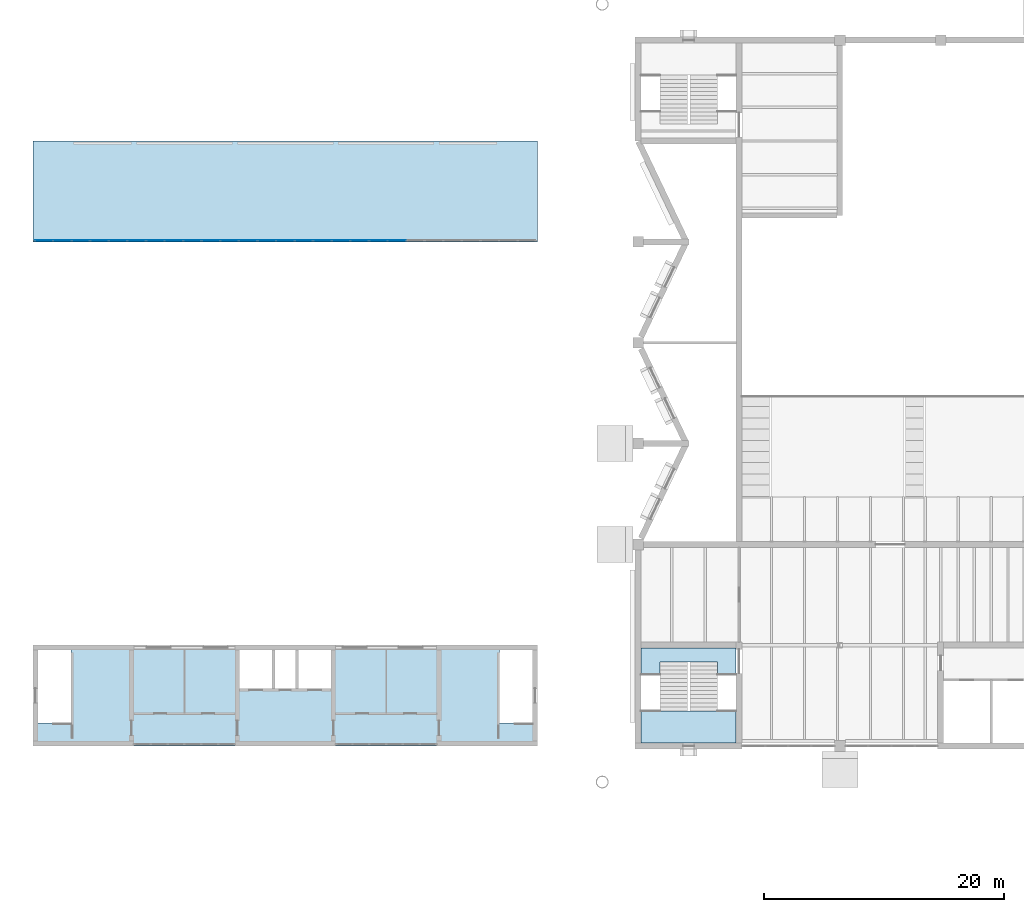
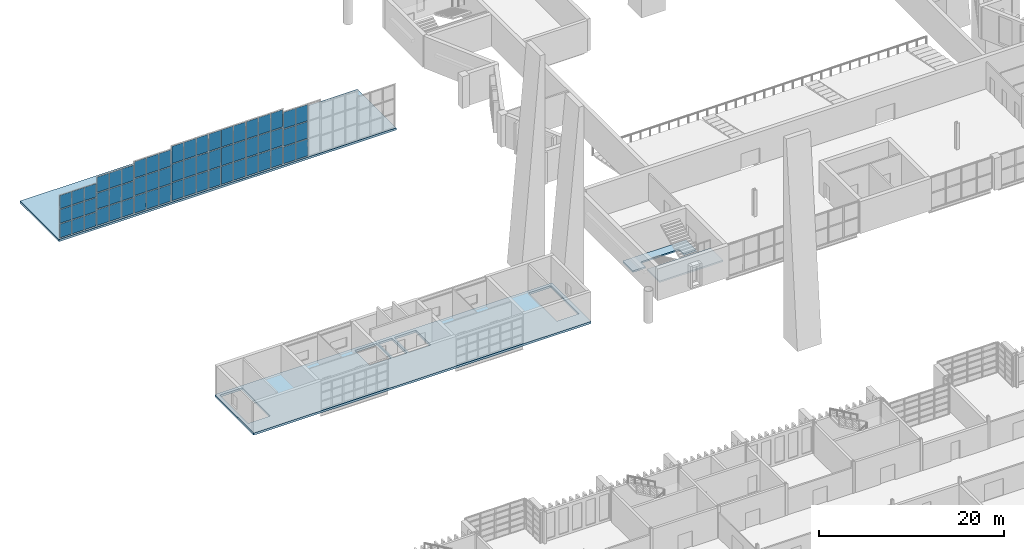
# One storey, part 53 of 100: 60 plates, 4 slabs, 8 elements without a shape of their own.
"""IFC4 building model written with IfcOpenShell, lengths in metres."""

from ifc_helpers import new_model, si_unit, direction, frame, origin, origin_2d, place, context, subcontext, project, spatial, polyline, rectangle, outline, extrude, material, layer, layer_set, type_object, element, aggregate, save


model = new_model("IFC4")

# Units and contexts
model_context = context("Model", 3, precision=1e-05, world=origin(), true_north=direction((0.0, 1.0)))
body_context = subcontext(model_context, "Body", "Model", "MODEL_VIEW")
ifc_project = project(units=[si_unit("LENGTHUNIT", "METRE"), si_unit("AREAUNIT", "SQUARE_METRE"), si_unit("VOLUMEUNIT", "CUBIC_METRE"), si_unit("PLANEANGLEUNIT", "RADIAN"), si_unit("MASSUNIT", "GRAM", prefix="KILO")], contexts=[model_context])

# Site, building, storey
site_placement = place(None, origin())
site = spatial("IfcSite", under=ifc_project, at=site_placement, CompositionType="ELEMENT")
building_placement = place(site_placement, origin())
building = spatial("IfcBuilding", under=site, at=building_placement, Name="Cresset Court Congress Hotel", CompositionType="ELEMENT")
storey_placement = place(building_placement, frame((0.0, 0.0, 10.199951171875)))
storey = spatial("IfcBuildingStorey", under=building, at=storey_placement, Name="L02", CompositionType="ELEMENT", Elevation=10.199951171875)

# Slab
ifc_material_1 = material(Name="Concrete C35", Category="concrete")
ifc_layer_1 = layer(ifc_material_1, 0.199951171875)
ifc_layer_set_1 = layer_set([ifc_layer_1], Name="Core stair floor slab 200")
slab_type_1 = type_object("IfcSlabType", Name="Core stair floor slab 200", PredefinedType="FLOOR", material=ifc_layer_set_1)
slab_1_placement = place(storey_placement, frame((0.0, 0.0, -0.199951171875)))
element("IfcSlab", 1, at=slab_1_placement, inside=storey, type_object=slab_type_1, Name="Stair landing slab CC-C1L02", PredefinedType="FLOOR", context=body_context, shape_type="SweptSolid", body=[
    extrude(outline(polyline([(60.60009765625, 64.75), (59.050048828125, 64.75), (59.050048828125, 65.79931640625), (59.050048828125, 66.949951171875), (60.60009765625, 66.949951171875), (65.39990234375, 66.949951171875), (66.949951171875, 66.949951171875), (66.949951171875, 65.79931640625), (66.949951171875, 64.75), (65.39990234375, 64.75), (65.39990234375, 65.79931640625), (60.60009765625, 65.79931640625), (60.60009765625, 64.75)])), origin(), (0.0, 0.0, 1.0), 0.199951171875),
])

# Stair, slab
ifc_material_2 = material(Name="Concrete C40", Category="concrete")
stair_type = type_object("IfcStairType", Name="Core stair", PredefinedType="STRAIGHT_RUN_STAIR", material=ifc_material_2)
stair_placement = place(storey_placement, origin())
stair = element("IfcStair", 2, at=stair_placement, inside=storey, type_object=stair_type, Name="Stair ST-C1 L02", PredefinedType="STRAIGHT_RUN_STAIR")
ifc_material_3 = material(Name="Concrete C40", Category="concrete")
ifc_layer_2 = layer(ifc_material_3, 0.199951171875)
ifc_layer_set_2 = layer_set([ifc_layer_2], Name="Core stair landing")
slab_type_2 = type_object("IfcSlabType", Name="Core stair landing", PredefinedType="LANDING", material=ifc_layer_set_2)
slab_2_placement = place(storey_placement, frame((0.0, 0.0, 1.900146484375)))
slab_2 = element("IfcSlab", 3, at=slab_2_placement, type_object=slab_type_2, Name="C-ST landing 1", PredefinedType="LANDING", context=body_context, shape_type="SweptSolid", body=[
    extrude(outline(polyline([(66.949951171875, 59.050048828125), (66.949951171875, 61.719970703125), (59.050048828125, 61.719970703125), (59.050048828125, 59.050048828125), (66.949951171875, 59.050048828125)])), origin(), (0.0, 0.0, 1.0), 0.199951171875),
])
aggregate(stair, [slab_2])

# Curtain wall, plates
ifc_material_4 = material(Name="Aluminium frame with insulated glass", Category="aluminium")
curtain_wall_type = type_object("IfcCurtainWallType", Name="Curtain wall module 1500", PredefinedType="NOTDEFINED", material=ifc_material_4)
curtain_wall_1_placement = place(storey_placement, origin())
curtain_wall_1 = element("IfcCurtainWall", 4, at=curtain_wall_1_placement, inside=storey, type_object=curtain_wall_type, Name="Curtain wall G1", PredefinedType="NOTDEFINED")
ifc_material_5 = material(Name="Laminated glass", Category="glass")
ifc_layer_3 = layer(ifc_material_5, 0.028076171875)
ifc_layer_set_3 = layer_set([ifc_layer_3], Name="Curtain wall glass panel 28")
plate_type = type_object("IfcPlateType", Name="Curtain wall glass panel 28", PredefinedType="CURTAIN_PANEL", material=ifc_layer_set_3)
plate_1_placement = place(storey_placement, frame((9.2890625, 100.89990234375, 0.1201171875), z_axis=(0.0, 0.0, 1.0), x_axis=(1.0, 0.0, 0.0)))
plate_1 = element("IfcPlate", 5, at=plate_1_placement, type_object=plate_type, Name="D-X4 panel 1.1", PredefinedType="CURTAIN_PANEL", context=body_context, shape_type="SweptSolid", body=[
    extrude(rectangle(XDim=1.458251953125, YDim=0.028076171875, at=origin_2d()), origin(), (0.0, 0.0, 1.0), 1.7919921875),
])
plate_2_placement = place(storey_placement, frame((9.2890625, 100.89990234375, 2.031982421875), z_axis=(0.0, 0.0, 1.0), x_axis=(1.0, 0.0, 0.0)))
plate_2 = element("IfcPlate", 6, at=plate_2_placement, type_object=plate_type, Name="D-X4 panel 1.2", PredefinedType="CURTAIN_PANEL", context=body_context, shape_type="SweptSolid", body=[
    extrude(rectangle(XDim=1.458251953125, YDim=0.028076171875, at=origin_2d()), origin(), (0.0, 0.0, 1.0), 1.7939453125),
])
plate_3_placement = place(storey_placement, frame((9.2890625, 100.89990234375, 3.946044921875), z_axis=(0.0, 0.0, 1.0), x_axis=(1.0, 0.0, 0.0)))
plate_3 = element("IfcPlate", 7, at=plate_3_placement, type_object=plate_type, Name="D-X4 panel 1.3", PredefinedType="CURTAIN_PANEL", context=body_context, shape_type="SweptSolid", body=[
    extrude(rectangle(XDim=1.458251953125, YDim=0.028076171875, at=origin_2d()), origin(), (0.0, 0.0, 1.0), 1.73388671875),
])
plate_4_placement = place(storey_placement, frame((10.822265625, 100.89990234375, 0.1201171875), z_axis=(0.0, 0.0, 1.0), x_axis=(1.0, 0.0, 0.0)))
plate_4 = element("IfcPlate", 8, at=plate_4_placement, type_object=plate_type, Name="D-X4 panel 2.1", PredefinedType="CURTAIN_PANEL", context=body_context, shape_type="SweptSolid", body=[
    extrude(rectangle(XDim=1.488037109375, YDim=0.028076171875, at=origin_2d()), origin(), (0.0, 0.0, 1.0), 1.7919921875),
])
plate_5_placement = place(storey_placement, frame((10.822265625, 100.89990234375, 2.031982421875), z_axis=(0.0, 0.0, 1.0), x_axis=(1.0, 0.0, 0.0)))
plate_5 = element("IfcPlate", 9, at=plate_5_placement, type_object=plate_type, Name="D-X4 panel 2.2", PredefinedType="CURTAIN_PANEL", context=body_context, shape_type="SweptSolid", body=[
    extrude(rectangle(XDim=1.488037109375, YDim=0.028076171875, at=origin_2d()), origin(), (0.0, 0.0, 1.0), 1.7939453125),
])
plate_6_placement = place(storey_placement, frame((10.822265625, 100.89990234375, 3.946044921875), z_axis=(0.0, 0.0, 1.0), x_axis=(1.0, 0.0, 0.0)))
plate_6 = element("IfcPlate", 10, at=plate_6_placement, type_object=plate_type, Name="D-X4 panel 2.3", PredefinedType="CURTAIN_PANEL", context=body_context, shape_type="SweptSolid", body=[
    extrude(rectangle(XDim=1.488037109375, YDim=0.028076171875, at=origin_2d()), origin(), (0.0, 0.0, 1.0), 1.73388671875),
])
plate_7_placement = place(storey_placement, frame((12.355224609375, 100.89990234375, 0.1201171875), z_axis=(0.0, 0.0, 1.0), x_axis=(1.0, 0.0, 0.0)))
plate_7 = element("IfcPlate", 11, at=plate_7_placement, type_object=plate_type, Name="D-X4 panel 3.1", PredefinedType="CURTAIN_PANEL", context=body_context, shape_type="SweptSolid", body=[
    extrude(rectangle(XDim=1.458251953125, YDim=0.028076171875, at=origin_2d()), origin(), (0.0, 0.0, 1.0), 1.7919921875),
])
plate_8_placement = place(storey_placement, frame((12.355224609375, 100.89990234375, 2.031982421875), z_axis=(0.0, 0.0, 1.0), x_axis=(1.0, 0.0, 0.0)))
plate_8 = element("IfcPlate", 12, at=plate_8_placement, type_object=plate_type, Name="D-X4 panel 3.2", PredefinedType="CURTAIN_PANEL", context=body_context, shape_type="SweptSolid", body=[
    extrude(rectangle(XDim=1.458251953125, YDim=0.028076171875, at=origin_2d()), origin(), (0.0, 0.0, 1.0), 1.7939453125),
])
plate_9_placement = place(storey_placement, frame((12.355224609375, 100.89990234375, 3.946044921875), z_axis=(0.0, 0.0, 1.0), x_axis=(1.0, 0.0, 0.0)))
plate_9 = element("IfcPlate", 13, at=plate_9_placement, type_object=plate_type, Name="D-X4 panel 3.3", PredefinedType="CURTAIN_PANEL", context=body_context, shape_type="SweptSolid", body=[
    extrude(rectangle(XDim=1.458251953125, YDim=0.028076171875, at=origin_2d()), origin(), (0.0, 0.0, 1.0), 1.73388671875),
])
aggregate(curtain_wall_1, [plate_1, plate_2, plate_3, plate_4, plate_5, plate_6, plate_7, plate_8, plate_9])

curtain_wall_2_placement = place(storey_placement, origin())
curtain_wall_2 = element("IfcCurtainWall", 14, at=curtain_wall_2_placement, inside=storey, type_object=curtain_wall_type, Name="Curtain wall G2", PredefinedType="NOTDEFINED")
plate_10_placement = place(storey_placement, frame((13.93359375, 100.89990234375, 0.1201171875), z_axis=(0.0, 0.0, 1.0), x_axis=(1.0, 0.0, 0.0)))
plate_10 = element("IfcPlate", 15, at=plate_10_placement, type_object=plate_type, Name="D-X4 panel 1.1", PredefinedType="CURTAIN_PANEL", context=body_context, shape_type="SweptSolid", body=[
    extrude(rectangle(XDim=1.458251953125, YDim=0.028076171875, at=origin_2d()), origin(), (0.0, 0.0, 1.0), 2.06396484375),
])
plate_11_placement = place(storey_placement, frame((13.93359375, 100.89990234375, 2.303955078125), z_axis=(0.0, 0.0, 1.0), x_axis=(1.0, 0.0, 0.0)))
plate_11 = element("IfcPlate", 16, at=plate_11_placement, type_object=plate_type, Name="D-X4 panel 1.2", PredefinedType="CURTAIN_PANEL", context=body_context, shape_type="SweptSolid", body=[
    extrude(rectangle(XDim=1.458251953125, YDim=0.028076171875, at=origin_2d()), origin(), (0.0, 0.0, 1.0), 2.05810546875),
])
plate_12_placement = place(storey_placement, frame((13.93359375, 100.89990234375, 4.48193359375), z_axis=(0.0, 0.0, 1.0), x_axis=(1.0, 0.0, 0.0)))
plate_12 = element("IfcPlate", 17, at=plate_12_placement, type_object=plate_type, Name="D-X4 panel 1.3", PredefinedType="CURTAIN_PANEL", context=body_context, shape_type="SweptSolid", body=[
    extrude(rectangle(XDim=1.458251953125, YDim=0.028076171875, at=origin_2d()), origin(), (0.0, 0.0, 1.0), 1.998046875),
])
plate_13_placement = place(storey_placement, frame((15.466552734375, 100.89990234375, 0.1201171875), z_axis=(0.0, 0.0, 1.0), x_axis=(1.0, 0.0, 0.0)))
plate_13 = element("IfcPlate", 18, at=plate_13_placement, type_object=plate_type, Name="D-X4 panel 2.1", PredefinedType="CURTAIN_PANEL", context=body_context, shape_type="SweptSolid", body=[
    extrude(rectangle(XDim=1.48828125, YDim=0.028076171875, at=origin_2d()), origin(), (0.0, 0.0, 1.0), 2.06396484375),
])
plate_14_placement = place(storey_placement, frame((15.466552734375, 100.89990234375, 2.303955078125), z_axis=(0.0, 0.0, 1.0), x_axis=(1.0, 0.0, 0.0)))
plate_14 = element("IfcPlate", 19, at=plate_14_placement, type_object=plate_type, Name="D-X4 panel 2.2", PredefinedType="CURTAIN_PANEL", context=body_context, shape_type="SweptSolid", body=[
    extrude(rectangle(XDim=1.48828125, YDim=0.028076171875, at=origin_2d()), origin(), (0.0, 0.0, 1.0), 2.05810546875),
])
plate_15_placement = place(storey_placement, frame((15.466552734375, 100.89990234375, 4.48193359375), z_axis=(0.0, 0.0, 1.0), x_axis=(1.0, 0.0, 0.0)))
plate_15 = element("IfcPlate", 20, at=plate_15_placement, type_object=plate_type, Name="D-X4 panel 2.3", PredefinedType="CURTAIN_PANEL", context=body_context, shape_type="SweptSolid", body=[
    extrude(rectangle(XDim=1.48828125, YDim=0.028076171875, at=origin_2d()), origin(), (0.0, 0.0, 1.0), 1.998046875),
])
plate_16_placement = place(storey_placement, frame((16.999755859375, 100.89990234375, 0.1201171875), z_axis=(0.0, 0.0, 1.0), x_axis=(1.0, 0.0, 0.0)))
plate_16 = element("IfcPlate", 21, at=plate_16_placement, type_object=plate_type, Name="D-X4 panel 3.1", PredefinedType="CURTAIN_PANEL", context=body_context, shape_type="SweptSolid", body=[
    extrude(rectangle(XDim=1.458251953125, YDim=0.028076171875, at=origin_2d()), origin(), (0.0, 0.0, 1.0), 2.06396484375),
])
plate_17_placement = place(storey_placement, frame((16.999755859375, 100.89990234375, 2.303955078125), z_axis=(0.0, 0.0, 1.0), x_axis=(1.0, 0.0, 0.0)))
plate_17 = element("IfcPlate", 22, at=plate_17_placement, type_object=plate_type, Name="D-X4 panel 3.2", PredefinedType="CURTAIN_PANEL", context=body_context, shape_type="SweptSolid", body=[
    extrude(rectangle(XDim=1.458251953125, YDim=0.028076171875, at=origin_2d()), origin(), (0.0, 0.0, 1.0), 2.05810546875),
])
plate_18_placement = place(storey_placement, frame((16.999755859375, 100.89990234375, 4.48193359375), z_axis=(0.0, 0.0, 1.0), x_axis=(1.0, 0.0, 0.0)))
plate_18 = element("IfcPlate", 23, at=plate_18_placement, type_object=plate_type, Name="D-X4 panel 3.3", PredefinedType="CURTAIN_PANEL", context=body_context, shape_type="SweptSolid", body=[
    extrude(rectangle(XDim=1.458251953125, YDim=0.028076171875, at=origin_2d()), origin(), (0.0, 0.0, 1.0), 1.998046875),
])
aggregate(curtain_wall_2, [plate_10, plate_11, plate_12, plate_13, plate_14, plate_15, plate_16, plate_17, plate_18])

curtain_wall_3_placement = place(storey_placement, origin())
curtain_wall_3 = element("IfcCurtainWall", 24, at=curtain_wall_3_placement, inside=storey, type_object=curtain_wall_type, Name="Curtain wall G3", PredefinedType="NOTDEFINED")
plate_19_placement = place(storey_placement, frame((18.577880859375, 100.89990234375, 0.1201171875), z_axis=(0.0, 0.0, 1.0), x_axis=(1.0, 0.0, 0.0)))
plate_19 = element("IfcPlate", 25, at=plate_19_placement, type_object=plate_type, Name="D-X4 panel 1.1", PredefinedType="CURTAIN_PANEL", context=body_context, shape_type="SweptSolid", body=[
    extrude(rectangle(XDim=1.458251953125, YDim=0.028076171875, at=origin_2d()), origin(), (0.0, 0.0, 1.0), 2.199951171875),
])
plate_20_placement = place(storey_placement, frame((18.577880859375, 100.89990234375, 2.440185546875), z_axis=(0.0, 0.0, 1.0), x_axis=(1.0, 0.0, 0.0)))
plate_20 = element("IfcPlate", 26, at=plate_20_placement, type_object=plate_type, Name="D-X4 panel 1.2", PredefinedType="CURTAIN_PANEL", context=body_context, shape_type="SweptSolid", body=[
    extrude(rectangle(XDim=1.458251953125, YDim=0.028076171875, at=origin_2d()), origin(), (0.0, 0.0, 1.0), 2.18994140625),
])
plate_21_placement = place(storey_placement, frame((18.577880859375, 100.89990234375, 4.75), z_axis=(0.0, 0.0, 1.0), x_axis=(1.0, 0.0, 0.0)))
plate_21 = element("IfcPlate", 27, at=plate_21_placement, type_object=plate_type, Name="D-X4 panel 1.3", PredefinedType="CURTAIN_PANEL", context=body_context, shape_type="SweptSolid", body=[
    extrude(rectangle(XDim=1.458251953125, YDim=0.028076171875, at=origin_2d()), origin(), (0.0, 0.0, 1.0), 2.1298828125),
])
plate_22_placement = place(storey_placement, frame((20.111083984375, 100.89990234375, 0.1201171875), z_axis=(0.0, 0.0, 1.0), x_axis=(1.0, 0.0, 0.0)))
plate_22 = element("IfcPlate", 28, at=plate_22_placement, type_object=plate_type, Name="D-X4 panel 2.1", PredefinedType="CURTAIN_PANEL", context=body_context, shape_type="SweptSolid", body=[
    extrude(rectangle(XDim=1.488037109375, YDim=0.028076171875, at=origin_2d()), origin(), (0.0, 0.0, 1.0), 2.199951171875),
])
plate_23_placement = place(storey_placement, frame((20.111083984375, 100.89990234375, 2.440185546875), z_axis=(0.0, 0.0, 1.0), x_axis=(1.0, 0.0, 0.0)))
plate_23 = element("IfcPlate", 29, at=plate_23_placement, type_object=plate_type, Name="D-X4 panel 2.2", PredefinedType="CURTAIN_PANEL", context=body_context, shape_type="SweptSolid", body=[
    extrude(rectangle(XDim=1.488037109375, YDim=0.028076171875, at=origin_2d()), origin(), (0.0, 0.0, 1.0), 2.18994140625),
])
plate_24_placement = place(storey_placement, frame((20.111083984375, 100.89990234375, 4.75), z_axis=(0.0, 0.0, 1.0), x_axis=(1.0, 0.0, 0.0)))
plate_24 = element("IfcPlate", 30, at=plate_24_placement, type_object=plate_type, Name="D-X4 panel 2.3", PredefinedType="CURTAIN_PANEL", context=body_context, shape_type="SweptSolid", body=[
    extrude(rectangle(XDim=1.488037109375, YDim=0.028076171875, at=origin_2d()), origin(), (0.0, 0.0, 1.0), 2.1298828125),
])
plate_25_placement = place(storey_placement, frame((21.644287109375, 100.89990234375, 0.1201171875), z_axis=(0.0, 0.0, 1.0), x_axis=(1.0, 0.0, 0.0)))
plate_25 = element("IfcPlate", 31, at=plate_25_placement, type_object=plate_type, Name="D-X4 panel 3.1", PredefinedType="CURTAIN_PANEL", context=body_context, shape_type="SweptSolid", body=[
    extrude(rectangle(XDim=1.458251953125, YDim=0.028076171875, at=origin_2d()), origin(), (0.0, 0.0, 1.0), 2.199951171875),
])
plate_26_placement = place(storey_placement, frame((21.644287109375, 100.89990234375, 2.440185546875), z_axis=(0.0, 0.0, 1.0), x_axis=(1.0, 0.0, 0.0)))
plate_26 = element("IfcPlate", 32, at=plate_26_placement, type_object=plate_type, Name="D-X4 panel 3.2", PredefinedType="CURTAIN_PANEL", context=body_context, shape_type="SweptSolid", body=[
    extrude(rectangle(XDim=1.458251953125, YDim=0.028076171875, at=origin_2d()), origin(), (0.0, 0.0, 1.0), 2.18994140625),
])
plate_27_placement = place(storey_placement, frame((21.644287109375, 100.89990234375, 4.75), z_axis=(0.0, 0.0, 1.0), x_axis=(1.0, 0.0, 0.0)))
plate_27 = element("IfcPlate", 33, at=plate_27_placement, type_object=plate_type, Name="D-X4 panel 3.3", PredefinedType="CURTAIN_PANEL", context=body_context, shape_type="SweptSolid", body=[
    extrude(rectangle(XDim=1.458251953125, YDim=0.028076171875, at=origin_2d()), origin(), (0.0, 0.0, 1.0), 2.1298828125),
])
aggregate(curtain_wall_3, [plate_19, plate_20, plate_21, plate_22, plate_23, plate_24, plate_25, plate_26, plate_27])

curtain_wall_4_placement = place(storey_placement, origin())
curtain_wall_4 = element("IfcCurtainWall", 34, at=curtain_wall_4_placement, inside=storey, type_object=curtain_wall_type, Name="Curtain wall G4", PredefinedType="NOTDEFINED")
plate_28_placement = place(storey_placement, frame((23.222412109375, 100.89990234375, 0.1201171875), z_axis=(0.0, 0.0, 1.0), x_axis=(1.0, 0.0, 0.0)))
plate_28 = element("IfcPlate", 35, at=plate_28_placement, type_object=plate_type, Name="D-X4 panel 1.1", PredefinedType="CURTAIN_PANEL", context=body_context, shape_type="SweptSolid", body=[
    extrude(rectangle(XDim=1.458251953125, YDim=0.028076171875, at=origin_2d()), origin(), (0.0, 0.0, 1.0), 2.3359375),
])
plate_29_placement = place(storey_placement, frame((23.222412109375, 100.89990234375, 2.576171875), z_axis=(0.0, 0.0, 1.0), x_axis=(1.0, 0.0, 0.0)))
plate_29 = element("IfcPlate", 36, at=plate_29_placement, type_object=plate_type, Name="D-X4 panel 1.2", PredefinedType="CURTAIN_PANEL", context=body_context, shape_type="SweptSolid", body=[
    extrude(rectangle(XDim=1.458251953125, YDim=0.028076171875, at=origin_2d()), origin(), (0.0, 0.0, 1.0), 2.322021484375),
])
plate_30_placement = place(storey_placement, frame((23.222412109375, 100.89990234375, 5.01806640625), z_axis=(0.0, 0.0, 1.0), x_axis=(1.0, 0.0, 0.0)))
plate_30 = element("IfcPlate", 37, at=plate_30_placement, type_object=plate_type, Name="D-X4 panel 1.3", PredefinedType="CURTAIN_PANEL", context=body_context, shape_type="SweptSolid", body=[
    extrude(rectangle(XDim=1.458251953125, YDim=0.028076171875, at=origin_2d()), origin(), (0.0, 0.0, 1.0), 2.261962890625),
])
plate_31_placement = place(storey_placement, frame((24.755615234375, 100.89990234375, 0.1201171875), z_axis=(0.0, 0.0, 1.0), x_axis=(1.0, 0.0, 0.0)))
plate_31 = element("IfcPlate", 38, at=plate_31_placement, type_object=plate_type, Name="D-X4 panel 2.1", PredefinedType="CURTAIN_PANEL", context=body_context, shape_type="SweptSolid", body=[
    extrude(rectangle(XDim=1.48828125, YDim=0.028076171875, at=origin_2d()), origin(), (0.0, 0.0, 1.0), 2.3359375),
])
plate_32_placement = place(storey_placement, frame((24.755615234375, 100.89990234375, 2.576171875), z_axis=(0.0, 0.0, 1.0), x_axis=(1.0, 0.0, 0.0)))
plate_32 = element("IfcPlate", 39, at=plate_32_placement, type_object=plate_type, Name="D-X4 panel 2.2", PredefinedType="CURTAIN_PANEL", context=body_context, shape_type="SweptSolid", body=[
    extrude(rectangle(XDim=1.48828125, YDim=0.028076171875, at=origin_2d()), origin(), (0.0, 0.0, 1.0), 2.322021484375),
])
plate_33_placement = place(storey_placement, frame((24.755615234375, 100.89990234375, 5.01806640625), z_axis=(0.0, 0.0, 1.0), x_axis=(1.0, 0.0, 0.0)))
plate_33 = element("IfcPlate", 40, at=plate_33_placement, type_object=plate_type, Name="D-X4 panel 2.3", PredefinedType="CURTAIN_PANEL", context=body_context, shape_type="SweptSolid", body=[
    extrude(rectangle(XDim=1.48828125, YDim=0.028076171875, at=origin_2d()), origin(), (0.0, 0.0, 1.0), 2.261962890625),
])
plate_34_placement = place(storey_placement, frame((26.288818359375, 100.89990234375, 0.1201171875), z_axis=(0.0, 0.0, 1.0), x_axis=(1.0, 0.0, 0.0)))
plate_34 = element("IfcPlate", 41, at=plate_34_placement, type_object=plate_type, Name="D-X4 panel 3.1", PredefinedType="CURTAIN_PANEL", context=body_context, shape_type="SweptSolid", body=[
    extrude(rectangle(XDim=1.458251953125, YDim=0.028076171875, at=origin_2d()), origin(), (0.0, 0.0, 1.0), 2.3359375),
])
plate_35_placement = place(storey_placement, frame((26.288818359375, 100.89990234375, 2.576171875), z_axis=(0.0, 0.0, 1.0), x_axis=(1.0, 0.0, 0.0)))
plate_35 = element("IfcPlate", 42, at=plate_35_placement, type_object=plate_type, Name="D-X4 panel 3.2", PredefinedType="CURTAIN_PANEL", context=body_context, shape_type="SweptSolid", body=[
    extrude(rectangle(XDim=1.458251953125, YDim=0.028076171875, at=origin_2d()), origin(), (0.0, 0.0, 1.0), 2.322021484375),
])
plate_36_placement = place(storey_placement, frame((26.288818359375, 100.89990234375, 5.01806640625), z_axis=(0.0, 0.0, 1.0), x_axis=(1.0, 0.0, 0.0)))
plate_36 = element("IfcPlate", 43, at=plate_36_placement, type_object=plate_type, Name="D-X4 panel 3.3", PredefinedType="CURTAIN_PANEL", context=body_context, shape_type="SweptSolid", body=[
    extrude(rectangle(XDim=1.458251953125, YDim=0.028076171875, at=origin_2d()), origin(), (0.0, 0.0, 1.0), 2.261962890625),
])
aggregate(curtain_wall_4, [plate_28, plate_29, plate_30, plate_31, plate_32, plate_33, plate_34, plate_35, plate_36])

curtain_wall_5_placement = place(storey_placement, origin())
curtain_wall_5 = element("IfcCurtainWall", 44, at=curtain_wall_5_placement, inside=storey, type_object=curtain_wall_type, Name="Curtain wall G5", PredefinedType="NOTDEFINED")
plate_37_placement = place(storey_placement, frame((27.866943359375, 100.89990234375, 0.1201171875), z_axis=(0.0, 0.0, 1.0), x_axis=(1.0, 0.0, 0.0)))
plate_37 = element("IfcPlate", 45, at=plate_37_placement, type_object=plate_type, Name="D-X4 panel 1.1", PredefinedType="CURTAIN_PANEL", context=body_context, shape_type="SweptSolid", body=[
    extrude(rectangle(XDim=1.458251953125, YDim=0.028076171875, at=origin_2d()), origin(), (0.0, 0.0, 1.0), 2.3359375),
])
plate_38_placement = place(storey_placement, frame((27.866943359375, 100.89990234375, 2.576171875), z_axis=(0.0, 0.0, 1.0), x_axis=(1.0, 0.0, 0.0)))
plate_38 = element("IfcPlate", 46, at=plate_38_placement, type_object=plate_type, Name="D-X4 panel 1.2", PredefinedType="CURTAIN_PANEL", context=body_context, shape_type="SweptSolid", body=[
    extrude(rectangle(XDim=1.458251953125, YDim=0.028076171875, at=origin_2d()), origin(), (0.0, 0.0, 1.0), 2.322021484375),
])
plate_39_placement = place(storey_placement, frame((27.866943359375, 100.89990234375, 5.01806640625), z_axis=(0.0, 0.0, 1.0), x_axis=(1.0, 0.0, 0.0)))
plate_39 = element("IfcPlate", 47, at=plate_39_placement, type_object=plate_type, Name="D-X4 panel 1.3", PredefinedType="CURTAIN_PANEL", context=body_context, shape_type="SweptSolid", body=[
    extrude(rectangle(XDim=1.458251953125, YDim=0.028076171875, at=origin_2d()), origin(), (0.0, 0.0, 1.0), 2.261962890625),
])
plate_40_placement = place(storey_placement, frame((29.39990234375, 100.89990234375, 0.1201171875), z_axis=(0.0, 0.0, 1.0), x_axis=(1.0, 0.0, 0.0)))
plate_40 = element("IfcPlate", 48, at=plate_40_placement, type_object=plate_type, Name="D-X4 panel 2.1", PredefinedType="CURTAIN_PANEL", context=body_context, shape_type="SweptSolid", body=[
    extrude(rectangle(XDim=1.488037109375, YDim=0.028076171875, at=origin_2d()), origin(), (0.0, 0.0, 1.0), 2.3359375),
])
plate_41_placement = place(storey_placement, frame((29.39990234375, 100.89990234375, 2.576171875), z_axis=(0.0, 0.0, 1.0), x_axis=(1.0, 0.0, 0.0)))
plate_41 = element("IfcPlate", 49, at=plate_41_placement, type_object=plate_type, Name="D-X4 panel 2.2", PredefinedType="CURTAIN_PANEL", context=body_context, shape_type="SweptSolid", body=[
    extrude(rectangle(XDim=1.488037109375, YDim=0.028076171875, at=origin_2d()), origin(), (0.0, 0.0, 1.0), 2.322021484375),
])
plate_42_placement = place(storey_placement, frame((29.39990234375, 100.89990234375, 5.01806640625), z_axis=(0.0, 0.0, 1.0), x_axis=(1.0, 0.0, 0.0)))
plate_42 = element("IfcPlate", 50, at=plate_42_placement, type_object=plate_type, Name="D-X4 panel 2.3", PredefinedType="CURTAIN_PANEL", context=body_context, shape_type="SweptSolid", body=[
    extrude(rectangle(XDim=1.488037109375, YDim=0.028076171875, at=origin_2d()), origin(), (0.0, 0.0, 1.0), 2.261962890625),
])
plate_43_placement = place(storey_placement, frame((30.93310546875, 100.89990234375, 0.1201171875), z_axis=(0.0, 0.0, 1.0), x_axis=(1.0, 0.0, 0.0)))
plate_43 = element("IfcPlate", 51, at=plate_43_placement, type_object=plate_type, Name="D-X4 panel 3.1", PredefinedType="CURTAIN_PANEL", context=body_context, shape_type="SweptSolid", body=[
    extrude(rectangle(XDim=1.458251953125, YDim=0.028076171875, at=origin_2d()), origin(), (0.0, 0.0, 1.0), 2.3359375),
])
plate_44_placement = place(storey_placement, frame((30.93310546875, 100.89990234375, 2.576171875), z_axis=(0.0, 0.0, 1.0), x_axis=(1.0, 0.0, 0.0)))
plate_44 = element("IfcPlate", 52, at=plate_44_placement, type_object=plate_type, Name="D-X4 panel 3.2", PredefinedType="CURTAIN_PANEL", context=body_context, shape_type="SweptSolid", body=[
    extrude(rectangle(XDim=1.458251953125, YDim=0.028076171875, at=origin_2d()), origin(), (0.0, 0.0, 1.0), 2.322021484375),
])
plate_45_placement = place(storey_placement, frame((30.93310546875, 100.89990234375, 5.01806640625), z_axis=(0.0, 0.0, 1.0), x_axis=(1.0, 0.0, 0.0)))
plate_45 = element("IfcPlate", 53, at=plate_45_placement, type_object=plate_type, Name="D-X4 panel 3.3", PredefinedType="CURTAIN_PANEL", context=body_context, shape_type="SweptSolid", body=[
    extrude(rectangle(XDim=1.458251953125, YDim=0.028076171875, at=origin_2d()), origin(), (0.0, 0.0, 1.0), 2.261962890625),
])
aggregate(curtain_wall_5, [plate_37, plate_38, plate_39, plate_40, plate_41, plate_42, plate_43, plate_44, plate_45])

curtain_wall_6_placement = place(storey_placement, origin())
curtain_wall_6 = element("IfcCurtainWall", 54, at=curtain_wall_6_placement, inside=storey, type_object=curtain_wall_type, Name="Curtain wall G6", PredefinedType="NOTDEFINED")
plate_46_placement = place(storey_placement, frame((32.51123046875, 100.89990234375, 0.1201171875), z_axis=(0.0, 0.0, 1.0), x_axis=(1.0, 0.0, 0.0)))
plate_46 = element("IfcPlate", 55, at=plate_46_placement, type_object=plate_type, Name="D-X4 panel 1.1", PredefinedType="CURTAIN_PANEL", context=body_context, shape_type="SweptSolid", body=[
    extrude(rectangle(XDim=1.458251953125, YDim=0.028076171875, at=origin_2d()), origin(), (0.0, 0.0, 1.0), 2.3359375),
])
plate_47_placement = place(storey_placement, frame((32.51123046875, 100.89990234375, 2.576171875), z_axis=(0.0, 0.0, 1.0), x_axis=(1.0, 0.0, 0.0)))
plate_47 = element("IfcPlate", 56, at=plate_47_placement, type_object=plate_type, Name="D-X4 panel 1.2", PredefinedType="CURTAIN_PANEL", context=body_context, shape_type="SweptSolid", body=[
    extrude(rectangle(XDim=1.458251953125, YDim=0.028076171875, at=origin_2d()), origin(), (0.0, 0.0, 1.0), 2.322021484375),
])
plate_48_placement = place(storey_placement, frame((32.51123046875, 100.89990234375, 5.01806640625), z_axis=(0.0, 0.0, 1.0), x_axis=(1.0, 0.0, 0.0)))
plate_48 = element("IfcPlate", 57, at=plate_48_placement, type_object=plate_type, Name="D-X4 panel 1.3", PredefinedType="CURTAIN_PANEL", context=body_context, shape_type="SweptSolid", body=[
    extrude(rectangle(XDim=1.458251953125, YDim=0.028076171875, at=origin_2d()), origin(), (0.0, 0.0, 1.0), 2.261962890625),
])
plate_49_placement = place(storey_placement, frame((34.04443359375, 100.89990234375, 0.1201171875), z_axis=(0.0, 0.0, 1.0), x_axis=(1.0, 0.0, 0.0)))
plate_49 = element("IfcPlate", 58, at=plate_49_placement, type_object=plate_type, Name="D-X4 panel 2.1", PredefinedType="CURTAIN_PANEL", context=body_context, shape_type="SweptSolid", body=[
    extrude(rectangle(XDim=1.48828125, YDim=0.028076171875, at=origin_2d()), origin(), (0.0, 0.0, 1.0), 2.3359375),
])
plate_50_placement = place(storey_placement, frame((34.04443359375, 100.89990234375, 2.576171875), z_axis=(0.0, 0.0, 1.0), x_axis=(1.0, 0.0, 0.0)))
plate_50 = element("IfcPlate", 59, at=plate_50_placement, type_object=plate_type, Name="D-X4 panel 2.2", PredefinedType="CURTAIN_PANEL", context=body_context, shape_type="SweptSolid", body=[
    extrude(rectangle(XDim=1.48828125, YDim=0.028076171875, at=origin_2d()), origin(), (0.0, 0.0, 1.0), 2.322021484375),
])
plate_51_placement = place(storey_placement, frame((34.04443359375, 100.89990234375, 5.01806640625), z_axis=(0.0, 0.0, 1.0), x_axis=(1.0, 0.0, 0.0)))
plate_51 = element("IfcPlate", 60, at=plate_51_placement, type_object=plate_type, Name="D-X4 panel 2.3", PredefinedType="CURTAIN_PANEL", context=body_context, shape_type="SweptSolid", body=[
    extrude(rectangle(XDim=1.48828125, YDim=0.028076171875, at=origin_2d()), origin(), (0.0, 0.0, 1.0), 2.261962890625),
])
plate_52_placement = place(storey_placement, frame((35.57763671875, 100.89990234375, 0.1201171875), z_axis=(0.0, 0.0, 1.0), x_axis=(1.0, 0.0, 0.0)))
plate_52 = element("IfcPlate", 61, at=plate_52_placement, type_object=plate_type, Name="D-X4 panel 3.1", PredefinedType="CURTAIN_PANEL", context=body_context, shape_type="SweptSolid", body=[
    extrude(rectangle(XDim=1.458251953125, YDim=0.028076171875, at=origin_2d()), origin(), (0.0, 0.0, 1.0), 2.3359375),
])
plate_53_placement = place(storey_placement, frame((35.57763671875, 100.89990234375, 2.576171875), z_axis=(0.0, 0.0, 1.0), x_axis=(1.0, 0.0, 0.0)))
plate_53 = element("IfcPlate", 62, at=plate_53_placement, type_object=plate_type, Name="D-X4 panel 3.2", PredefinedType="CURTAIN_PANEL", context=body_context, shape_type="SweptSolid", body=[
    extrude(rectangle(XDim=1.458251953125, YDim=0.028076171875, at=origin_2d()), origin(), (0.0, 0.0, 1.0), 2.322021484375),
])
plate_54_placement = place(storey_placement, frame((35.57763671875, 100.89990234375, 5.01806640625), z_axis=(0.0, 0.0, 1.0), x_axis=(1.0, 0.0, 0.0)))
plate_54 = element("IfcPlate", 63, at=plate_54_placement, type_object=plate_type, Name="D-X4 panel 3.3", PredefinedType="CURTAIN_PANEL", context=body_context, shape_type="SweptSolid", body=[
    extrude(rectangle(XDim=1.458251953125, YDim=0.028076171875, at=origin_2d()), origin(), (0.0, 0.0, 1.0), 2.261962890625),
])
aggregate(curtain_wall_6, [plate_46, plate_47, plate_48, plate_49, plate_50, plate_51, plate_52, plate_53, plate_54])

curtain_wall_7_placement = place(storey_placement, origin())
curtain_wall_7 = element("IfcCurtainWall", 64, at=curtain_wall_7_placement, inside=storey, type_object=curtain_wall_type, Name="Curtain wall G7", PredefinedType="NOTDEFINED")
plate_55_placement = place(storey_placement, frame((37.15576171875, 100.89990234375, 0.1201171875), z_axis=(0.0, 0.0, 1.0), x_axis=(1.0, 0.0, 0.0)))
plate_55 = element("IfcPlate", 65, at=plate_55_placement, type_object=plate_type, Name="D-X4 panel 1.1", PredefinedType="CURTAIN_PANEL", context=body_context, shape_type="SweptSolid", body=[
    extrude(rectangle(XDim=1.458251953125, YDim=0.028076171875, at=origin_2d()), origin(), (0.0, 0.0, 1.0), 2.199951171875),
])
plate_56_placement = place(storey_placement, frame((37.15576171875, 100.89990234375, 2.440185546875), z_axis=(0.0, 0.0, 1.0), x_axis=(1.0, 0.0, 0.0)))
plate_56 = element("IfcPlate", 66, at=plate_56_placement, type_object=plate_type, Name="D-X4 panel 1.2", PredefinedType="CURTAIN_PANEL", context=body_context, shape_type="SweptSolid", body=[
    extrude(rectangle(XDim=1.458251953125, YDim=0.028076171875, at=origin_2d()), origin(), (0.0, 0.0, 1.0), 2.18994140625),
])
plate_57_placement = place(storey_placement, frame((37.15576171875, 100.89990234375, 4.75), z_axis=(0.0, 0.0, 1.0), x_axis=(1.0, 0.0, 0.0)))
plate_57 = element("IfcPlate", 67, at=plate_57_placement, type_object=plate_type, Name="D-X4 panel 1.3", PredefinedType="CURTAIN_PANEL", context=body_context, shape_type="SweptSolid", body=[
    extrude(rectangle(XDim=1.458251953125, YDim=0.028076171875, at=origin_2d()), origin(), (0.0, 0.0, 1.0), 2.1298828125),
])
plate_58_placement = place(storey_placement, frame((38.68896484375, 100.89990234375, 0.1201171875), z_axis=(0.0, 0.0, 1.0), x_axis=(1.0, 0.0, 0.0)))
plate_58 = element("IfcPlate", 68, at=plate_58_placement, type_object=plate_type, Name="D-X4 panel 2.1", PredefinedType="CURTAIN_PANEL", context=body_context, shape_type="SweptSolid", body=[
    extrude(rectangle(XDim=1.488037109375, YDim=0.028076171875, at=origin_2d()), origin(), (0.0, 0.0, 1.0), 2.199951171875),
])
plate_59_placement = place(storey_placement, frame((38.68896484375, 100.89990234375, 2.440185546875), z_axis=(0.0, 0.0, 1.0), x_axis=(1.0, 0.0, 0.0)))
plate_59 = element("IfcPlate", 69, at=plate_59_placement, type_object=plate_type, Name="D-X4 panel 2.2", PredefinedType="CURTAIN_PANEL", context=body_context, shape_type="SweptSolid", body=[
    extrude(rectangle(XDim=1.488037109375, YDim=0.028076171875, at=origin_2d()), origin(), (0.0, 0.0, 1.0), 2.18994140625),
])
plate_60_placement = place(storey_placement, frame((38.68896484375, 100.89990234375, 4.75), z_axis=(0.0, 0.0, 1.0), x_axis=(1.0, 0.0, 0.0)))
plate_60 = element("IfcPlate", 70, at=plate_60_placement, type_object=plate_type, Name="D-X4 panel 2.3", PredefinedType="CURTAIN_PANEL", context=body_context, shape_type="SweptSolid", body=[
    extrude(rectangle(XDim=1.488037109375, YDim=0.028076171875, at=origin_2d()), origin(), (0.0, 0.0, 1.0), 2.1298828125),
])
aggregate(curtain_wall_7, [plate_55, plate_56, plate_57, plate_58, plate_59, plate_60])

# Slabs
ifc_material_6 = material(Name="Concrete C35", Category="concrete")
ifc_layer_4 = layer(ifc_material_6, 0.280029296875)
ifc_layer_set_4 = layer_set([ifc_layer_4], Name="RC floor plate 280 C35")
slab_type_3 = type_object("IfcSlabType", Name="RC floor plate 280 C35", PredefinedType="FLOOR", material=ifc_layer_set_4)
slab_3_placement = place(storey_placement, frame((0.0, 0.0, -0.280029296875)))
element("IfcSlab", 71, at=slab_3_placement, inside=storey, type_object=slab_type_3, Name="Foyer floor plate L02", PredefinedType="FLOOR", context=body_context, shape_type="SweptSolid", body=[
    extrude(outline(polyline([(8.39990234375, 58.800048828125), (50.39990234375, 58.800048828125), (50.39990234375, 67.199951171875), (8.39990234375, 67.199951171875), (8.39990234375, 58.800048828125)]), holes=[polyline([(11.550048828125, 60.70068359375), (11.550048828125, 66.800048828125), (8.800048828125, 66.800048828125), (8.800048828125, 60.70068359375), (11.550048828125, 60.70068359375)]), polyline([(50.0, 60.70068359375), (50.0, 66.800048828125), (47.25, 66.800048828125), (47.25, 60.70068359375), (50.0, 60.70068359375)]), polyline([(25.60009765625, 63.60009765625), (28.300048828125, 63.60009765625), (28.300048828125, 66.800048828125), (25.60009765625, 66.800048828125), (25.60009765625, 63.60009765625)]), polyline([(30.5, 63.60009765625), (33.199951171875, 63.60009765625), (33.199951171875, 66.800048828125), (30.5, 66.800048828125), (30.5, 63.60009765625)]), polyline([(28.550048828125, 63.60009765625), (30.25, 63.60009765625), (30.25, 66.800048828125), (28.550048828125, 66.800048828125), (28.550048828125, 63.60009765625)])]), origin(), (0.0, 0.0, 1.0), 0.280029296875),
])
ifc_material_7 = material(Name="Concrete C35", Category="concrete")
ifc_layer_5 = layer(ifc_material_7, 0.280029296875)
ifc_layer_set_5 = layer_set([ifc_layer_5], Name="RC roof plate 280 C35")
slab_type_4 = type_object("IfcSlabType", Name="RC roof plate 280 C35", PredefinedType="ROOF", material=ifc_layer_set_5)
slab_4_placement = place(storey_placement, frame((0.0, 0.0, -0.280029296875)))
element("IfcSlab", 72, at=slab_4_placement, inside=storey, type_object=slab_type_4, Name="North bay roof plate", PredefinedType="ROOF", context=body_context, shape_type="SweptSolid", body=[
    extrude(outline(polyline([(8.39990234375, 100.800048828125), (50.39990234375, 100.800048828125), (50.39990234375, 109.199951171875), (8.39990234375, 109.199951171875), (8.39990234375, 100.800048828125)])), origin(), (0.0, 0.0, 1.0), 0.280029296875),
])

save(model, "model.ifc")
